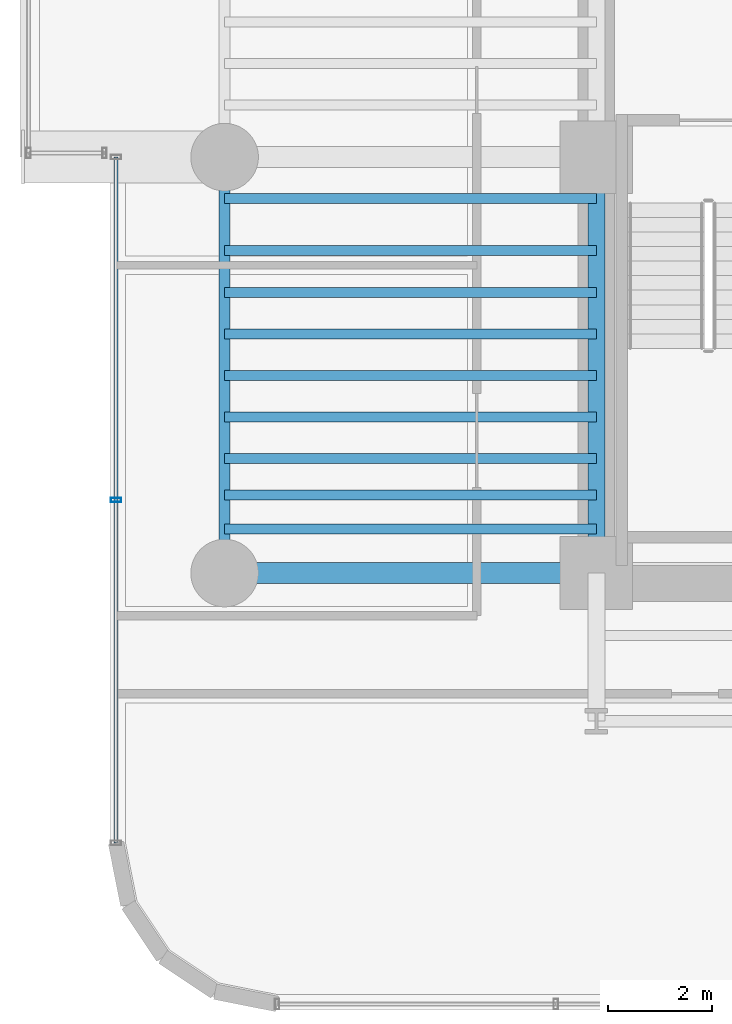
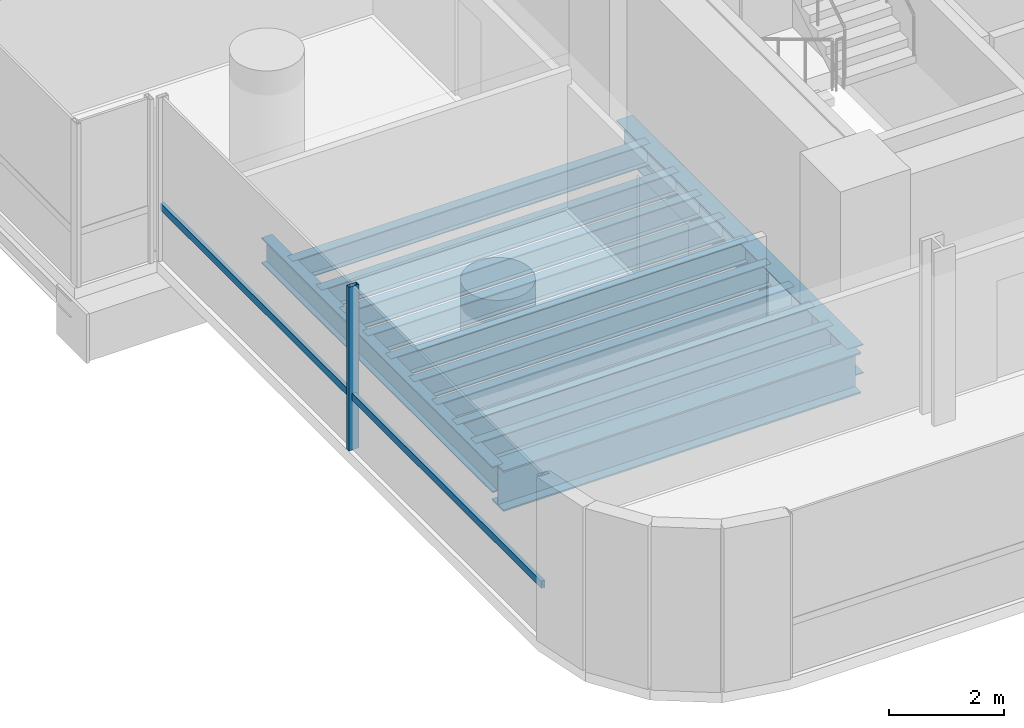
# One storey, part 4 of 39: 12 beams, 2 members, 1 element without a shape of its own.
"""IFC4 building model written with IfcOpenShell, lengths in metres."""

from ifc_helpers import new_model, si_unit, direction, frame, origin, origin_2d, place, context, subcontext, project, spatial, hollow_rectangle, i_section, extrude, source, transform, mapped, material, material_profile, profile_set, type_object, element, aggregate, save


model = new_model("IFC4")

# Units and contexts
model_context = context("Model", 3, precision=1e-05, world=origin(), true_north=direction((0.0, 1.0)))
body_context = subcontext(model_context, "Body", "Model", "MODEL_VIEW")
ifc_project = project(units=[si_unit("LENGTHUNIT", "METRE"), si_unit("AREAUNIT", "SQUARE_METRE"), si_unit("VOLUMEUNIT", "CUBIC_METRE"), si_unit("PLANEANGLEUNIT", "RADIAN"), si_unit("MASSUNIT", "GRAM", prefix="KILO")], contexts=[model_context])

# Site, building, storey
site_placement = place(None, origin())
site = spatial("IfcSite", under=ifc_project, at=site_placement, CompositionType="ELEMENT")
building_placement = place(site_placement, origin())
building = spatial("IfcBuilding", under=site, at=building_placement, Name="Valdorenza Pilgrim Sanctuary Tower", CompositionType="ELEMENT")
storey_placement = place(building_placement, frame((0.0, 0.0, 70.39990234375)))
storey = spatial("IfcBuildingStorey", under=building, at=storey_placement, Name="L17", CompositionType="ELEMENT", Elevation=70.39990234375)

# Beams
ifc_material_1 = material(Name="Steel ASTM A992 Grade 50", Category="steel")
ifc_material_profile_1 = material_profile(ifc_material_1, i_section(OverallWidth=0.214111328125, OverallDepth=0.549072265625, WebThickness=0.0146484375, FlangeThickness=0.023681640625, at=origin_2d()), Name="W21X93")
ifc_profile_set_1 = profile_set([ifc_material_profile_1], Name="Steel ASTM A992 Grade 50")
beam_type_1 = type_object("IfcBeamType", Name="STR-BM-SPN-W21A", PredefinedType="SPANDREL", material=ifc_profile_set_1)
shared_shape_1 = source(origin(), body_context, "Body", "SweptSolid", [
    extrude(i_section(OverallWidth=0.214111328125, OverallDepth=0.549072265625, WebThickness=0.0146484375, FlangeThickness=0.023681640625, at=origin_2d()), origin(), (0.0, 0.0, 1.0), 8.0),
])
beam_1_placement = place(storey_placement, frame((-29.800048828125, -10.60009765625, -0.514404296875), z_axis=(0.0, 1.0, 0.0), x_axis=(-1.0, 0.0, 0.0)))
element("IfcBeam", 1, at=beam_1_placement, inside=storey, type_object=beam_type_1, Name="L17 Spandrel Beam WA-W-S1M0", PredefinedType="SPANDREL", context=body_context, shape_type="MappedRepresentation", body=[
    mapped(shared_shape_1, transform((0.0, 0.0, 0.0), x_axis=(1.0, 0.0, 0.0), y_axis=(0.0, 1.0, 0.0), z_axis=(0.0, 0.0, 1.0), scale=1.0)),
])
ifc_material_profile_2 = material_profile(ifc_material_1, i_section(OverallWidth=0.323974609375, OverallDepth=0.611083984375, WebThickness=0.0126953125, FlangeThickness=0.01904296875, at=origin_2d()), Name="W24X104")
ifc_profile_set_2 = profile_set([ifc_material_profile_2], Name="Steel ASTM A992 Grade 50")
beam_type_2 = type_object("IfcBeamType", Name="STR-BM-GRD-W24B", PredefinedType="BEAM", material=ifc_profile_set_2)
shared_shape_2 = source(origin(), body_context, "Body", "SweptSolid", [
    extrude(i_section(OverallWidth=0.323974609375, OverallDepth=0.611083984375, WebThickness=0.0126953125, FlangeThickness=0.01904296875, at=origin_2d()), origin(), (0.0, 0.0, 1.0), 8.0),
])
beam_2_placement = place(storey_placement, frame((-22.64990234375, -10.60009765625, -0.54541015625), z_axis=(0.0, 1.0, 0.0), x_axis=(-1.0, 0.0, 0.0)))
element("IfcBeam", 2, at=beam_2_placement, inside=storey, type_object=beam_type_2, Name="L17 Core Tie Girder CA-W-S1M0", PredefinedType="BEAM", context=body_context, shape_type="MappedRepresentation", body=[
    mapped(shared_shape_2, transform((0.0, 0.0, 0.0), x_axis=(1.0, 0.0, 0.0), y_axis=(0.0, 1.0, 0.0), z_axis=(0.0, 0.0, 1.0), scale=1.0)),
])
ifc_material_profile_3 = material_profile(ifc_material_1, i_section(OverallWidth=0.193115234375, OverallDepth=0.466064453125, WebThickness=0.011474609375, FlangeThickness=0.01904296875, at=origin_2d()), Name="W18X65")
ifc_profile_set_3 = profile_set([ifc_material_profile_3], Name="Steel ASTM A992 Grade 50")
beam_type_3 = type_object("IfcBeamType", Name="STR-BM-JST-W18A", PredefinedType="JOIST", material=ifc_profile_set_3)
shared_shape_3 = source(origin(), body_context, "Body", "SweptSolid", [
    extrude(i_section(OverallWidth=0.193115234375, OverallDepth=0.466064453125, WebThickness=0.011474609375, FlangeThickness=0.01904296875, at=origin_2d()), origin(), (0.0, 0.0, 1.0), 7.150146484375),
])
for number, where, z_axis, x_axis, name in (
    (3, (-29.800048828125, -9.75, -0.472900390625), (1.0, 0.0, 0.0), (0.0, 1.0, 0.0), "L17 Composite Floor Joist JST-WA-1"),
    (4, (-29.800048828125, -9.10009765625, -0.472900390625), (1.0, 0.0, 0.0), (0.0, 1.0, 0.0), "L17 Composite Floor Joist JST-WA-2"),
    (5, (-29.800048828125, -8.39990234375, -0.472900390625), (1.0, 0.0, 0.0), (0.0, 1.0, 0.0), "L17 Composite Floor Joist JST-WA-3"),
    (6, (-29.800048828125, -7.60009765625, -0.472900390625), (1.0, 0.0, 0.0), (0.0, 1.0, 0.0), "L17 Composite Floor Joist JST-WA-4"),
    (7, (-29.800048828125, -6.800048828125, -0.472900390625), (1.0, 0.0, 0.0), (0.0, 1.0, 0.0), "L17 Composite Floor Joist JST-WA-5"),
    (8, (-29.800048828125, -6.0, -0.472900390625), (1.0, 0.0, 0.0), (0.0, 1.0, 0.0), "L17 Composite Floor Joist JST-WA-6"),
    (9, (-29.800048828125, -5.199951171875, -0.472900390625), (1.0, 0.0, 0.0), (0.0, 1.0, 0.0), "L17 Composite Floor Joist JST-WA-7"),
    (10, (-29.800048828125, -4.39990234375, -0.472900390625), (1.0, 0.0, 0.0), (0.0, 1.0, 0.0), "L17 Composite Floor Joist JST-WA-8"),
    (11, (-29.800048828125, -3.39990234375, -0.472900390625), (1.0, 0.0, 0.0), (0.0, 1.0, 0.0), "L17 Composite Floor Joist JST-WA-9"),
):
    element("IfcBeam", number, at=place(storey_placement, frame(where, z_axis=z_axis, x_axis=x_axis)), inside=storey, type_object=beam_type_3, Name=name, PredefinedType="JOIST", context=body_context, shape_type="MappedRepresentation", body=[
        mapped(shared_shape_3, transform((0.0, 0.0, 0.0), x_axis=(1.0, 0.0, 0.0), y_axis=(0.0, 1.0, 0.0), z_axis=(0.0, 0.0, 1.0), scale=1.0)),
    ])
ifc_material_profile_4 = material_profile(ifc_material_1, i_section(OverallWidth=0.39990234375, OverallDepth=0.862060546875, WebThickness=0.019775390625, FlangeThickness=0.032470703125, at=origin_2d()), Name="W33X221")
ifc_profile_set_4 = profile_set([ifc_material_profile_4], Name="Steel ASTM A992 Grade 50")
beam_type_4 = type_object("IfcBeamType", Name="STR-BM-GRD-W33", PredefinedType="BEAM", material=ifc_profile_set_4)
shared_shape_4 = source(origin(), body_context, "Body", "SweptSolid", [
    extrude(i_section(OverallWidth=0.39990234375, OverallDepth=0.862060546875, WebThickness=0.019775390625, FlangeThickness=0.032470703125, at=origin_2d()), origin(), (0.0, 0.0, 1.0), 7.150146484375),
])
beam_3_placement = place(storey_placement, frame((-29.800048828125, -10.60009765625, -0.6708984375), z_axis=(1.0, 0.0, 0.0), x_axis=(0.0, 1.0, 0.0)))
element("IfcBeam", 12, at=beam_3_placement, inside=storey, type_object=beam_type_4, Name="L17 Floor Girder WA-XW-S1", PredefinedType="BEAM", context=body_context, shape_type="MappedRepresentation", body=[
    mapped(shared_shape_4, transform((0.0, 0.0, 0.0), x_axis=(1.0, 0.0, 0.0), y_axis=(0.0, 1.0, 0.0), z_axis=(0.0, 0.0, 1.0), scale=1.0)),
])

# Curtain wall, members
ifc_material_2 = material(Name="Curtain-wall IGU glazing", Category="glass")
curtain_wall_type = type_object("IfcCurtainWallType", Name="CW-SYS-02", PredefinedType="NOTDEFINED", material=ifc_material_2)
curtain_wall_placement = place(storey_placement, origin())
curtain_wall = element("IfcCurtainWall", 13, at=curtain_wall_placement, inside=storey, type_object=curtain_wall_type, Name="L17 Curtain Wall CW-L17-1-1S1", PredefinedType="NOTDEFINED")
ifc_material_3 = material(Name="Anodised aluminium AW-6060", Category="aluminium")
ifc_material_profile_5 = material_profile(ifc_material_3, hollow_rectangle(XDim=0.0849609375, YDim=0.199951171875, WallThickness=0.0048828125, at=origin_2d()), Name="ALU-M 200x85x5")
ifc_profile_set_5 = profile_set([ifc_material_profile_5], Name="Anodised aluminium AW-6060")
member_type_1 = type_object("IfcMemberType", Name="CW-MUL-02", PredefinedType="MULLION", material=ifc_profile_set_5)
shared_shape_5 = source(origin(), body_context, "Body", "SweptSolid", [
    extrude(hollow_rectangle(XDim=0.0849609375, YDim=0.199951171875, WallThickness=0.0048828125, at=origin_2d()), origin(), (0.0, 0.0, 1.0), 3.460205078125),
])
member_1_placement = place(storey_placement, frame((-31.889892578125, -9.194580078125, 0.0), z_axis=(0.0, 0.0, 1.0), x_axis=(0.0, 1.0, 0.0)))
member_1 = element("IfcMember", 14, at=member_1_placement, type_object=member_type_1, Name="CW-L17-1-1S1 Mullion 2", PredefinedType="MULLION", context=body_context, shape_type="MappedRepresentation", body=[
    mapped(shared_shape_5, transform((0.0, 0.0, 0.0), x_axis=(1.0, 0.0, 0.0), y_axis=(0.0, 1.0, 0.0), z_axis=(0.0, 0.0, 1.0), scale=1.0)),
])
ifc_material_profile_6 = material_profile(ifc_material_3, hollow_rectangle(XDim=0.074951171875, YDim=0.14990234375, WallThickness=0.00390625, at=origin_2d()), Name="ALU-T 150x75x4")
ifc_profile_set_6 = profile_set([ifc_material_profile_6], Name="Anodised aluminium AW-6060")
member_type_2 = type_object("IfcMemberType", Name="CW-TRN-02", PredefinedType="USERDEFINED", material=ifc_profile_set_6)
shared_shape_6 = source(origin(), body_context, "Body", "SweptSolid", [
    extrude(hollow_rectangle(XDim=0.074951171875, YDim=0.14990234375, WallThickness=0.00390625, at=origin_2d()), origin(), (0.0, 0.0, 1.0), 13.189208984375),
])
member_2_placement = place(storey_placement, frame((-31.889892578125, -15.789306640625, 1.1201171875), z_axis=(0.0, 1.0, 0.0), x_axis=(-1.0, 0.0, 0.0)))
member_2 = element("IfcMember", 15, at=member_2_placement, type_object=member_type_2, Name="CW-L17-1-1S1 Transom 1", ObjectType="TRANSOM", PredefinedType="USERDEFINED", context=body_context, shape_type="MappedRepresentation", body=[
    mapped(shared_shape_6, transform((0.0, 0.0, 0.0), x_axis=(1.0, 0.0, 0.0), y_axis=(0.0, 1.0, 0.0), z_axis=(0.0, 0.0, 1.0), scale=1.0)),
])
aggregate(curtain_wall, [member_1, member_2])

save(model, "model.ifc")
